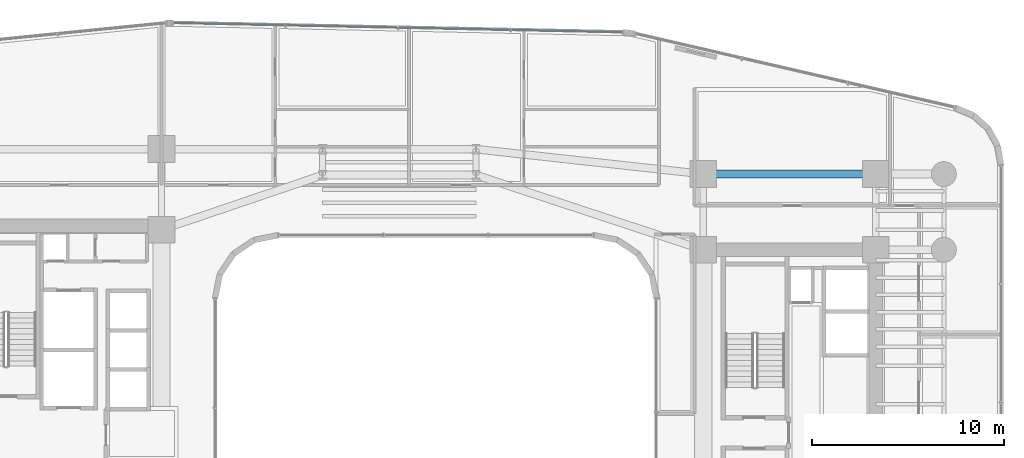
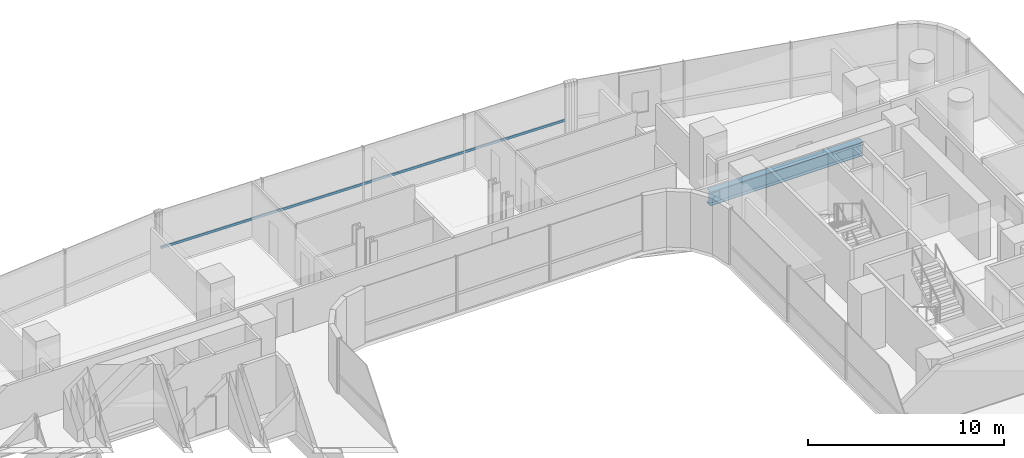
# One storey, part 24 of 41: 1 beam, 1 member, 1 element without a shape of its own.
"""IFC4 building model written with IfcOpenShell, lengths in metres."""

from ifc_helpers import new_model, si_unit, direction, frame, origin, origin_2d, place, context, subcontext, project, spatial, hollow_rectangle, i_section, extrude, source, transform, mapped, material, material_profile, profile_set, type_object, element, aggregate, save


model = new_model("IFC4")

# Units and contexts
model_context = context("Model", 3, precision=1e-05, world=origin(), true_north=direction((0.0, 1.0)))
body_context = subcontext(model_context, "Body", "Model", "MODEL_VIEW")
ifc_project = project(units=[si_unit("LENGTHUNIT", "METRE"), si_unit("AREAUNIT", "SQUARE_METRE"), si_unit("VOLUMEUNIT", "CUBIC_METRE"), si_unit("PLANEANGLEUNIT", "RADIAN"), si_unit("MASSUNIT", "GRAM", prefix="KILO")], contexts=[model_context])

# Site, building, storey
site_placement = place(None, origin())
site = spatial("IfcSite", under=ifc_project, at=site_placement, CompositionType="ELEMENT")
building_placement = place(site_placement, origin())
building = spatial("IfcBuilding", under=site, at=building_placement, Name="Valdorenza Pilgrim Sanctuary Tower", CompositionType="ELEMENT")
storey_placement = place(building_placement, frame((0.0, 0.0, 88.89990234375)))
storey = spatial("IfcBuildingStorey", under=building, at=storey_placement, Name="L22", CompositionType="ELEMENT", Elevation=88.89990234375)

# Beam
ifc_material_1 = material(Name="Steel ASTM A992 Grade 50", Category="steel")
ifc_material_profile_1 = material_profile(ifc_material_1, i_section(OverallWidth=0.39990234375, OverallDepth=0.862060546875, WebThickness=0.019775390625, FlangeThickness=0.032470703125, at=origin_2d()), Name="W33X221")
ifc_profile_set_1 = profile_set([ifc_material_profile_1], Name="Steel ASTM A992 Grade 50")
beam_type = type_object("IfcBeamType", Name="STR-BM-GRD-W33", PredefinedType="BEAM", material=ifc_profile_set_1)
shared_shape_1 = source(origin(), body_context, "Body", "SweptSolid", [
    extrude(i_section(OverallWidth=0.39990234375, OverallDepth=0.862060546875, WebThickness=0.019775390625, FlangeThickness=0.032470703125, at=origin_2d()), origin(), (0.0, 0.0, 1.0), 9.0),
])
beam_placement = place(storey_placement, frame((15.85009765625, 13.5, -0.6708984375), z_axis=(1.0, 0.0, 0.0), x_axis=(0.0, 1.0, 0.0)))
element("IfcBeam", 1, at=beam_placement, inside=storey, type_object=beam_type, Name="L22 Floor Girder CB-XC-N2", PredefinedType="BEAM", context=body_context, shape_type="MappedRepresentation", body=[
    mapped(shared_shape_1, transform((0.0, 0.0, 0.0), x_axis=(1.0, 0.0, 0.0), y_axis=(0.0, 1.0, 0.0), z_axis=(0.0, 0.0, 1.0), scale=1.0)),
])

# Curtain wall, member
ifc_material_2 = material(Name="Curtain-wall IGU glazing", Category="glass")
curtain_wall_type = type_object("IfcCurtainWallType", Name="CW-SYS-02", PredefinedType="NOTDEFINED", material=ifc_material_2)
curtain_wall_placement = place(storey_placement, origin())
curtain_wall = element("IfcCurtainWall", 2, at=curtain_wall_placement, inside=storey, type_object=curtain_wall_type, Name="L22 Curtain Wall CW-L22-1-11", PredefinedType="NOTDEFINED")
ifc_material_3 = material(Name="Anodised aluminium AW-6060", Category="aluminium")
ifc_material_profile_2 = material_profile(ifc_material_3, hollow_rectangle(XDim=0.074951171875, YDim=0.14990234375, WallThickness=0.00390625, at=origin_2d()), Name="ALU-T 150x75x4")
ifc_profile_set_2 = profile_set([ifc_material_profile_2], Name="Anodised aluminium AW-6060")
member_type = type_object("IfcMemberType", Name="CW-TRN-02", PredefinedType="USERDEFINED", material=ifc_profile_set_2)
shared_shape_2 = source(origin(), body_context, "Body", "SweptSolid", [
    extrude(hollow_rectangle(XDim=0.074951171875, YDim=0.14990234375, WallThickness=0.00390625, at=origin_2d()), origin(), (0.0, 0.0, 1.0), 23.479248046875),
])
member_placement = place(storey_placement, frame((-11.808349609375, 21.385986328125, 1.1201171875), z_axis=(0.999783083794, -0.020827514476, 0.0), x_axis=(0.020827514476, 0.999783083794, 0.0)))
member = element("IfcMember", 3, at=member_placement, type_object=member_type, Name="CW-L22-1-11 Transom 1", ObjectType="TRANSOM", PredefinedType="USERDEFINED", context=body_context, shape_type="MappedRepresentation", body=[
    mapped(shared_shape_2, transform((0.0, 0.0, 0.0), x_axis=(1.0, 0.0, 0.0), y_axis=(0.0, 1.0, 0.0), z_axis=(0.0, 0.0, 1.0), scale=1.0)),
])
aggregate(curtain_wall, [member])

save(model, "model.ifc")
